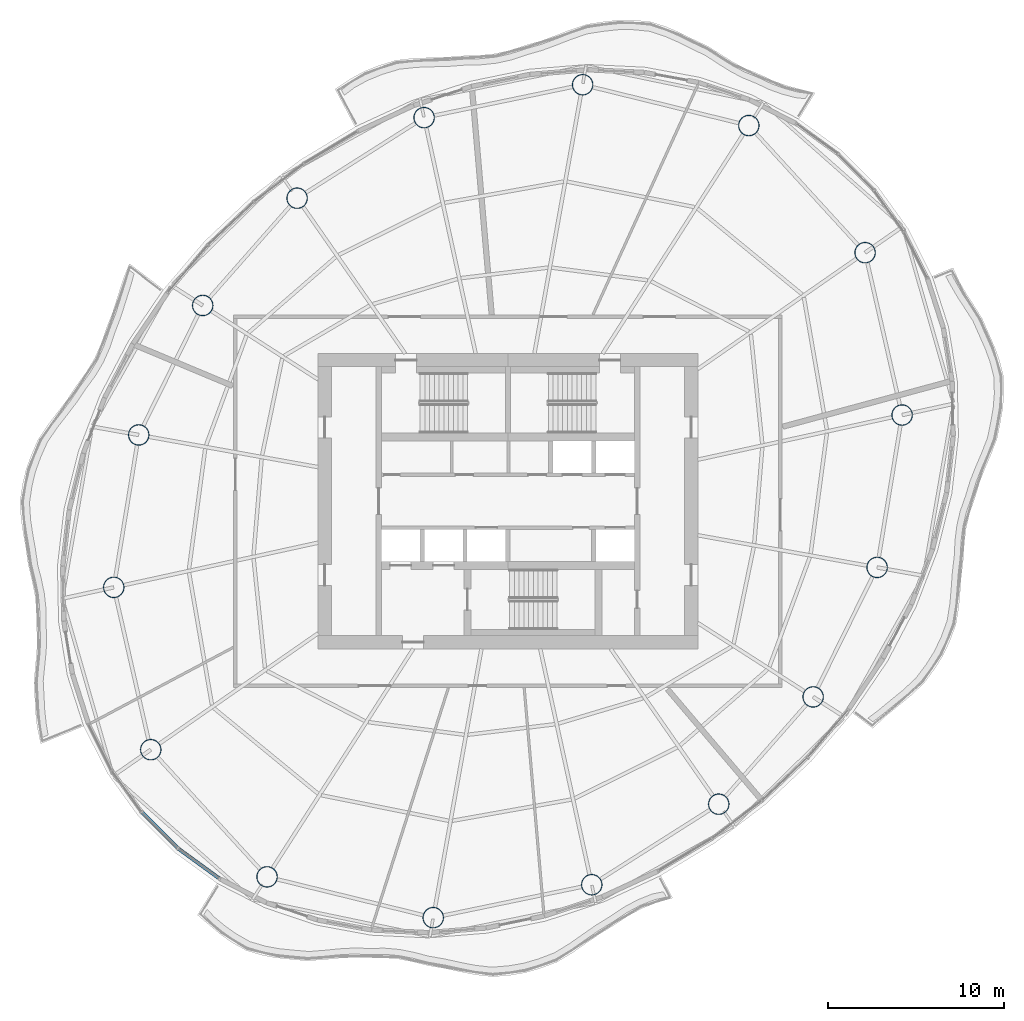
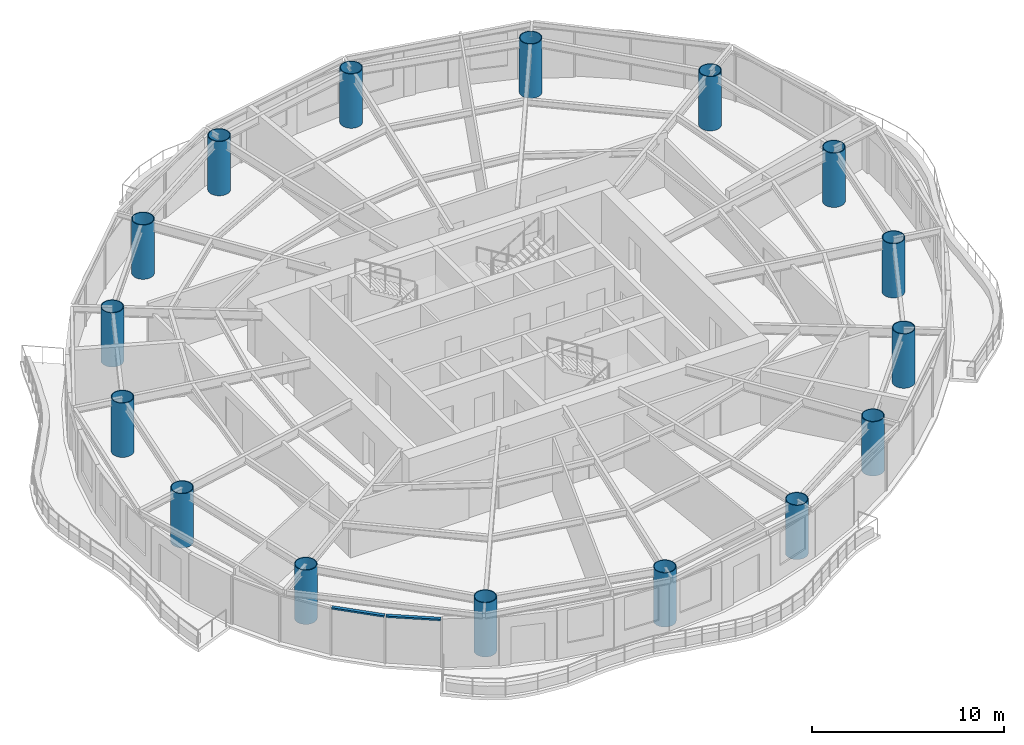
# One storey, part 1 of 14: 16 columns, 2 members, 2 elements without a shape of their own.
"""IFC4 building model written with IfcOpenShell, lengths in metres."""

from ifc_helpers import new_model, si_unit, direction, frame, origin, origin_2d, place, context, subcontext, project, spatial, rectangle, hollow_circle, extrude, material, material_profile, profile_set, type_object, element, aggregate, save


model = new_model("IFC4")

# Units and contexts
model_context = context("Model", 3, precision=1e-05, world=origin(), true_north=direction((0.0, 1.0)))
body_context = subcontext(model_context, "Body", "Model", "MODEL_VIEW")
ifc_project = project(units=[si_unit("LENGTHUNIT", "METRE"), si_unit("AREAUNIT", "SQUARE_METRE"), si_unit("VOLUMEUNIT", "CUBIC_METRE"), si_unit("PLANEANGLEUNIT", "RADIAN"), si_unit("MASSUNIT", "GRAM", prefix="KILO")], contexts=[model_context])

# Site, building, storey
site_placement = place(None, origin())
site = spatial("IfcSite", under=ifc_project, at=site_placement, CompositionType="ELEMENT")
building_placement = place(site_placement, origin())
building = spatial("IfcBuilding", under=site, at=building_placement, Name="Vermilion Reach Broadcast Tower", CompositionType="ELEMENT")
storey_placement = place(building_placement, frame((0.0, 0.0, 195.699951171875)))
storey = spatial("IfcBuildingStorey", under=building, at=storey_placement, Name="L47", CompositionType="ELEMENT", Elevation=195.699951171875)

# Columns
ifc_material_1 = material(Name="Concrete C60 infill in steel S460NL tube", Category="concrete")
ifc_material_profile_1 = material_profile(ifc_material_1, hollow_circle(Radius=0.60009765625, WallThickness=0.044921875, at=origin_2d()), Name="Concrete C60 infill in steel S460NL tube CFT 1200x45")
ifc_profile_set_1 = profile_set([ifc_material_profile_1], Name="Concrete C60 infill in steel S460NL tube")
column_type = type_object("IfcColumnType", Name="MC4 CFT 1200x45", PredefinedType="COLUMN", material=ifc_profile_set_1)
for number, where, z_axis, x_axis, name in (
    (1, (7.70361328125, 21.3701171875, 0.0), (0.0, 0.0, 1.0), (1.0, 0.0, 0.0), "Mega-column MC4-01"),
    (2, (-1.75, 23.691162109375, 0.0), (0.0, 0.0, 1.0), (1.0, 0.0, 0.0), "Mega-column MC4-02"),
    (3, (-10.769287109375, 21.818603515625, 0.0), (0.0, 0.0, 1.0), (1.0, 0.0, 0.0), "Mega-column MC4-03"),
    (4, (-17.993408203125, 17.23681640625, 0.0), (0.0, 0.0, 1.0), (1.0, 0.0, 0.0), "Mega-column MC4-04"),
    (5, (-23.36279296875, 11.134033203125, 0.0), (0.0, 0.0, 1.0), (1.0, 0.0, 0.0), "Mega-column MC4-05"),
    (6, (-27.002685546875, 3.767578125, 0.0), (0.0, 0.0, 1.0), (1.0, 0.0, 0.0), "Mega-column MC4-06"),
    (7, (-28.423828125, -4.9013671875, 0.0), (0.0, 0.0, 1.0), (1.0, 0.0, 0.0), "Mega-column MC4-07"),
    (8, (-26.318115234375, -14.13720703125, 0.0), (0.0, 0.0, 1.0), (1.0, 0.0, 0.0), "Mega-column MC4-08"),
    (9, (-19.70361328125, -21.3701171875, 0.0), (0.0, 0.0, 1.0), (1.0, 0.0, 0.0), "Mega-column MC4-09"),
    (10, (-10.25, -23.691162109375, 0.0), (0.0, 0.0, 1.0), (1.0, 0.0, 0.0), "Mega-column MC4-10"),
    (11, (-1.230712890625, -21.818603515625, 0.0), (0.0, 0.0, 1.0), (1.0, 0.0, 0.0), "Mega-column MC4-11"),
    (12, (5.993408203125, -17.23681640625, 0.0), (0.0, 0.0, 1.0), (1.0, 0.0, 0.0), "Mega-column MC4-12"),
    (13, (11.36279296875, -11.134033203125, 0.0), (0.0, 0.0, 1.0), (1.0, 0.0, 0.0), "Mega-column MC4-13"),
    (14, (15.002685546875, -3.767578125, 0.0), (0.0, 0.0, 1.0), (1.0, 0.0, 0.0), "Mega-column MC4-14"),
    (15, (16.423828125, 4.9013671875, 0.0), (0.0, 0.0, 1.0), (1.0, 0.0, 0.0), "Mega-column MC4-15"),
    (16, (14.318115234375, 14.13720703125, 0.0), (0.0, 0.0, 1.0), (1.0, 0.0, 0.0), "Mega-column MC4-16"),
):
    element("IfcColumn", number, at=place(storey_placement, frame(where, z_axis=z_axis, x_axis=x_axis)), inside=storey, type_object=column_type, Name=name, PredefinedType="COLUMN", context=body_context, shape_type="SweptSolid", body=[
        extrude(hollow_circle(Radius=0.60009765625, WallThickness=0.044921875, at=origin_2d()), origin(), (0.0, 0.0, 1.0), 3.449951171875),
    ])

# Curtain wall, member
ifc_material_2 = material(Name="Low-e laminated clear glass in aluminium frame", Category="aluminium")
curtain_wall_type = type_object("IfcCurtainWallType", Name="Slot curtain wall", PredefinedType="NOTDEFINED", material=ifc_material_2)
placement = place(storey_placement, origin())
curtain_wall_1 = element("IfcCurtainWall", 17, at=placement, inside=storey, type_object=curtain_wall_type, Name="Slot curtain wall L47 24", PredefinedType="NOTDEFINED")
ifc_material_3 = material(Name="Anodised aluminium", Category="aluminium")
ifc_material_profile_2 = material_profile(ifc_material_3, rectangle(XDim=0.199951171875, YDim=0.10009765625, at=origin_2d()), Name="Slot transom 200 x 100")
ifc_profile_set_2 = profile_set([ifc_material_profile_2], Name="Anodised aluminium")
member_type = type_object("IfcMemberType", Name="Slot transom 200 x 100", PredefinedType="USERDEFINED", material=ifc_profile_set_2)
member_1_placement = place(storey_placement, frame((-26.805908203125, -17.70947265625, 3.0), z_axis=(0.705814478392, -0.708396726483, 0.0), x_axis=(0.708396726483, 0.705814478392, 0.0)))
member_1 = element("IfcMember", 18, at=member_1_placement, type_object=member_type, Name="Slot transom L47 24.1", ObjectType="TRANSOM", PredefinedType="USERDEFINED", context=body_context, shape_type="SweptSolid", body=[
    extrude(rectangle(XDim=0.199951171875, YDim=0.10009765625, at=origin_2d()), origin(), (0.0, 0.0, 1.0), 2.83642578125),
])
aggregate(curtain_wall_1, [member_1])

curtain_wall_2 = element("IfcCurtainWall", 19, at=placement, inside=storey, type_object=curtain_wall_type, Name="Slot curtain wall L47 25", PredefinedType="NOTDEFINED")
member_2_placement = place(storey_placement, frame((-24.7431640625, -19.770751953125, 3.0), z_axis=(0.808658597921, -0.5882782267, 0.0), x_axis=(0.5882782267, 0.808658597921, 0.0)))
member_2 = element("IfcMember", 20, at=member_2_placement, type_object=member_type, Name="Slot transom L47 25.1", ObjectType="TRANSOM", PredefinedType="USERDEFINED", context=body_context, shape_type="SweptSolid", body=[
    extrude(rectangle(XDim=0.199951171875, YDim=0.10009765625, at=origin_2d()), origin(), (0.0, 0.0, 1.0), 2.861572265625),
])
aggregate(curtain_wall_2, [member_2])

save(model, "model.ifc")
